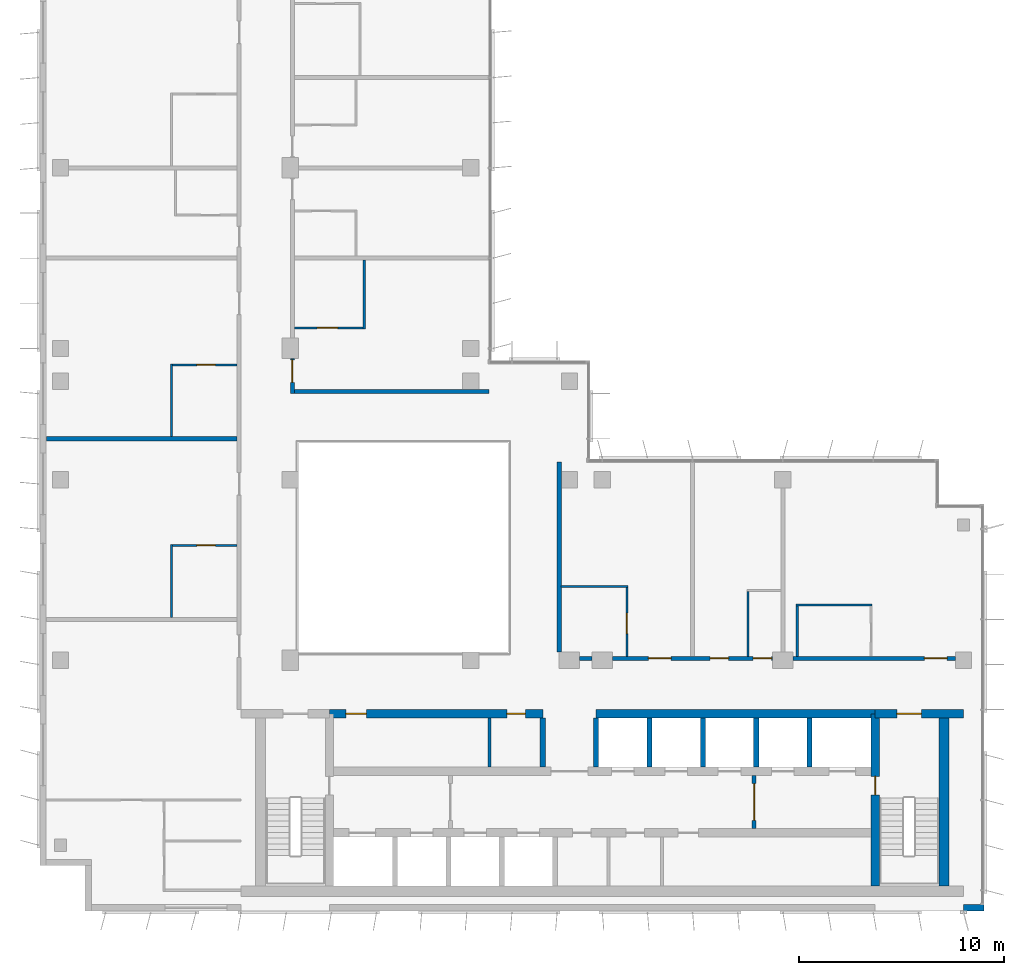
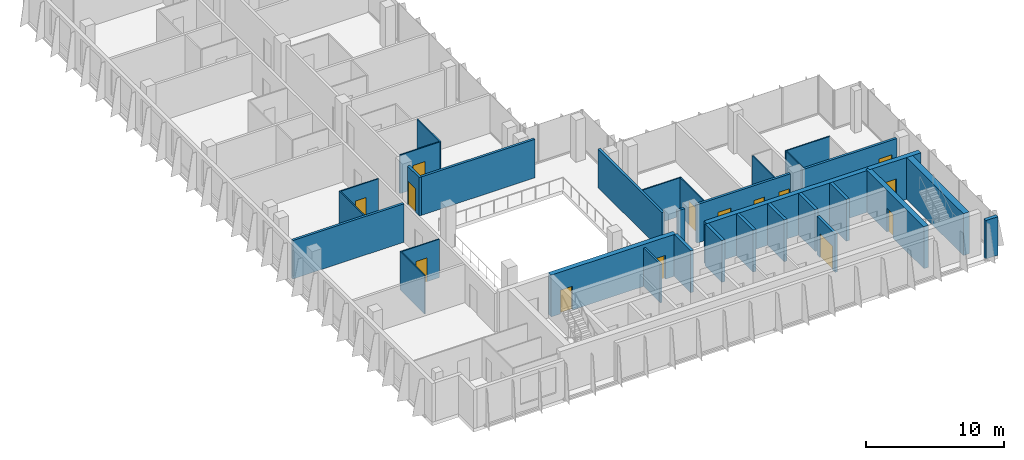
# One storey, part 10 of 16: 32 walls, 14 doors, 14 openings.
"""IFC4 building model written with IfcOpenShell, lengths in metres."""

import ifcopenshell
import ifcopenshell.guid

model = None  # the IFC model being written
_history = None  # IfcOwnerHistory: only IFC2X3 demands one
_inside = {}  # id of a spatial element -> (the spatial element, [elements in it])
_under = {}  # id of a project, library or spatial element -> (it, [spatial elements below it])
_declared = {}  # id of a project -> (the project, [libraries it declares])
_typed = {}  # id of a type object -> (the type object, [elements of that type])
_made_of = {}  # id of a material, layer set ... -> (it, [elements and type objects made of it])


def new_model(schema):
    """Start an empty IFC model of exactly this schema.

    Asked for "IFC4X3", IfcOpenShell would pick the latest addendum, in which some entities
    have other attributes; the version numbers below select the first issue.
    IFC2X3 requires an IfcOwnerHistory on every rooted entity: one is made here for all.
    """
    global model, _history
    if schema == "IFC4X3":
        model = ifcopenshell.file(schema_version=(4, 3, 0, 0))
    else:
        model = ifcopenshell.file(schema=schema)
    _inside.clear()
    _under.clear()
    _declared.clear()
    _typed.clear()
    _made_of.clear()
    _history = None
    if model.schema == "IFC2X3":
        org = make("IfcOrganization", Name="unknown")
        user = make(
            "IfcPersonAndOrganization",
            ThePerson=make("IfcPerson", FamilyName="unknown"),
            TheOrganization=org,
        )
        app = make(
            "IfcApplication",
            ApplicationDeveloper=org,
            Version="unknown",
            ApplicationFullName="unknown",
            ApplicationIdentifier="unknown",
        )
        _history = make(
            "IfcOwnerHistory",
            OwningUser=user,
            OwningApplication=app,
            ChangeAction="ADDED",
            CreationDate=0,
        )
    return model


def make(cls, **values):
    """One entity of the class cls with the attributes given. An attribute that is None is left unset."""
    return model.create_entity(
        cls, **{name: value for name, value in values.items() if value is not None}
    )


def rooted(cls, **values):
    """An entity with a GlobalId (a new one), such as an element, a storey or a relation."""
    return make(cls, GlobalId=ifcopenshell.guid.new(), OwnerHistory=_history, **values)


def si_unit(unit_type, name, prefix=None):
    """IfcSIUnit, for example si_unit("LENGTHUNIT", "METRE", prefix="MILLI")."""
    return make("IfcSIUnit", UnitType=unit_type, Prefix=prefix, Name=name)


def assignment(units):
    """IfcUnitAssignment: the units of a project."""
    return None if units is None else make("IfcUnitAssignment", Units=units)


def point(xyz):
    """IfcCartesianPoint."""
    return None if xyz is None else make("IfcCartesianPoint", Coordinates=xyz)


def direction(xyz):
    """IfcDirection."""
    return None if xyz is None else make("IfcDirection", DirectionRatios=xyz)


def frame(location, z_axis=None, x_axis=None):
    """IfcAxis2Placement3D, a coordinate frame: its origin and axes. An axis left out is left unset."""
    return make(
        "IfcAxis2Placement3D",
        Location=point(location),
        Axis=direction(z_axis),
        RefDirection=direction(x_axis),
    )


def frame_2d(location, x_axis=None):
    """IfcAxis2Placement2D, a coordinate frame in the plane: its origin and x axis."""
    return make(
        "IfcAxis2Placement2D", Location=point(location), RefDirection=direction(x_axis)
    )


def origin():
    """The frame at (0, 0, 0) with its axes left unset."""
    return frame((0.0, 0.0, 0.0))


def place(relative_to, where):
    """IfcLocalPlacement: puts the frame where relative to a parent placement (None: the world)."""
    return make(
        "IfcLocalPlacement", PlacementRelTo=relative_to, RelativePlacement=where
    )


def context(
    kind, dimensions, precision=None, world=None, true_north=None, identifier=None
):
    """IfcGeometricRepresentationContext, for example the 3D "Model" context."""
    return make(
        "IfcGeometricRepresentationContext",
        ContextIdentifier=identifier,
        ContextType=kind,
        CoordinateSpaceDimension=dimensions,
        Precision=precision,
        WorldCoordinateSystem=world,
        TrueNorth=true_north,
    )


def subcontext(parent, identifier, kind, view, scale=None):
    """IfcGeometricRepresentationSubContext, for example "Body" below "Model"."""
    return make(
        "IfcGeometricRepresentationSubContext",
        ContextIdentifier=identifier,
        ContextType=kind,
        ParentContext=parent,
        TargetScale=scale,
        TargetView=view,
    )


def project(units=None, contexts=None):
    """IfcProject with its units and contexts."""
    return rooted(
        "IfcProject",
        Name="project",
        RepresentationContexts=contexts,
        UnitsInContext=assignment(units),
    )


def spatial(cls, under=None, at=None, **own):
    """A site, building, storey or space (cls), placed at a placement, below another one or the project."""
    s = rooted(cls, ObjectPlacement=at, **own)
    if under is not None:
        _under.setdefault(under.id(), (under, []))[1].append(s)
    return s


def profile(cls, at=None, kind="AREA", **sizes):
    """A parametric profile (cls). Its sizes go by their IFC names, for example OverallWidth=200.0."""
    return make(cls, ProfileType=kind, Position=at, **sizes)


def rectangle(**sizes):
    """IfcRectangleProfileDef."""
    return profile("IfcRectangleProfileDef", **sizes)


def extrude(swept, where, along, depth):
    """IfcExtrudedAreaSolid: the profile swept, set in the frame where, extruded along a direction by depth."""
    return make(
        "IfcExtrudedAreaSolid",
        SweptArea=swept,
        Position=where,
        ExtrudedDirection=direction(along),
        Depth=depth,
    )


def shape(context_of_items, identifier, shape_type, items):
    """IfcShapeRepresentation: the items that make up one representation, for example the "Body"."""
    return make(
        "IfcShapeRepresentation",
        ContextOfItems=context_of_items,
        RepresentationIdentifier=identifier,
        RepresentationType=shape_type,
        Items=items,
    )


def material(Name=None, Category=None):
    """IfcMaterial."""
    return make("IfcMaterial", Name=Name, Category=Category)


def layer(
    of_material, thickness, ventilated=None, Name=None, Category=None, Priority=None
):
    """IfcMaterialLayer: one layer of a wall or slab, of a material (None: an air gap)."""
    return make(
        "IfcMaterialLayer",
        Material=of_material,
        LayerThickness=thickness,
        IsVentilated=ventilated,
        Name=Name,
        Category=Category,
        Priority=Priority,
    )


def layer_set(layers, Name=None):
    """IfcMaterialLayerSet."""
    return make("IfcMaterialLayerSet", MaterialLayers=layers, LayerSetName=Name)


def made_of(thing, what):
    """Note that an element or type object is made of a material, layer set ...; save() writes the relation."""
    if what is not None:
        _made_of.setdefault(what.id(), (what, []))[1].append(thing)
    return thing


def type_object(cls, material=None, **own):
    """A type object (cls), such as IfcWallType, which elements share."""
    return made_of(rooted(cls, **own), material)


def element(
    cls,
    number,
    at=None,
    inside=None,
    cuts=None,
    type_object=None,
    material=None,
    context=None,
    identifier="Body",
    shape_type=None,
    held_by="IfcProductDefinitionShape",
    body=None,
    shapes=None,
    **own,
):
    """One element of the class cls, such as IfcWall. Its Tag is "e" and its number.

    at: its placement. inside: the storey or other place that contains it. cuts: it is an
    opening in that element (IfcRelVoidsElement). A single representation is given by context,
    identifier, shape_type and body (its items); several are given by shapes. held_by: the class
    of the entity that holds the representations. save() writes the other relations.
    """
    e = rooted(cls, Tag="e%d" % number, ObjectPlacement=at, **own)
    if body is not None:
        shapes = [shape(context, identifier, shape_type, body)]
    if shapes is not None:
        e.Representation = make(held_by, Representations=shapes)
    if inside is not None:
        _inside.setdefault(inside.id(), (inside, []))[1].append(e)
    if cuts is not None:
        rooted(
            "IfcRelVoidsElement", RelatingBuildingElement=cuts, RelatedOpeningElement=e
        )
    if type_object is not None:
        _typed.setdefault(type_object.id(), (type_object, []))[1].append(e)
    return made_of(e, material)


def fill(opening, filler):
    """IfcRelFillsElement: the door or window that sits in an opening."""
    return rooted(
        "IfcRelFillsElement",
        RelatingOpeningElement=opening,
        RelatedBuildingElement=filler,
    )


def aggregate(whole, parts):
    """IfcRelAggregates: a whole, such as a stair, and the parts it consists of."""
    return rooted("IfcRelAggregates", RelatingObject=whole, RelatedObjects=parts)


def save(model, path):
    """Write the relations noted so far, then the file.

    IfcRelAggregates (storeys below a building ...), IfcRelContainedInSpatialStructure (elements
    in a storey), IfcRelDefinesByType, IfcRelAssociatesMaterial and IfcRelDeclares: one each for
    every whole, place, type object, material and project.
    """
    for whole, parts in _under.values():
        aggregate(whole, parts)
    for where, things in _inside.values():
        rooted(
            "IfcRelContainedInSpatialStructure",
            RelatedElements=things,
            RelatingStructure=where,
        )
    for kind, things in _typed.values():
        rooted("IfcRelDefinesByType", RelatedObjects=things, RelatingType=kind)
    for what, things in _made_of.values():
        rooted("IfcRelAssociatesMaterial", RelatedObjects=things, RelatingMaterial=what)
    for by, libraries in _declared.values():
        rooted("IfcRelDeclares", RelatingContext=by, RelatedDefinitions=libraries)
    model.write(path)


model = new_model("IFC4")

# Units and contexts
model_context = context("Model", 3, precision=1e-05, world=origin(), true_north=direction((0.0, 1.0)))
body_context = subcontext(model_context, "Body", "Model", "MODEL_VIEW")
ifc_project = project(units=[si_unit("LENGTHUNIT", "METRE"), si_unit("AREAUNIT", "SQUARE_METRE"), si_unit("VOLUMEUNIT", "CUBIC_METRE"), si_unit("PLANEANGLEUNIT", "RADIAN"), si_unit("MASSUNIT", "GRAM", prefix="KILO")], contexts=[model_context])

# Site, building, storey
site_placement = place(None, origin())
site = spatial("IfcSite", under=ifc_project, at=site_placement, CompositionType="ELEMENT")
building_placement = place(site_placement, origin())
building = spatial("IfcBuilding", under=site, at=building_placement, Name="Kemantara Hotel Tower", CompositionType="ELEMENT")
storey_placement = place(building_placement, frame((0.0, 0.0, 272.199951171875)))
storey = spatial("IfcBuildingStorey", under=building, at=storey_placement, Name="L68", CompositionType="ELEMENT", Elevation=272.199951171875)

# Walls
ifc_material_1 = material(Name="Bronze anodised aluminium cladding on insulated steel stud wall", Category="steel")
ifc_layer_1 = layer(ifc_material_1, 0.300048828125)
ifc_layer_set_1 = layer_set([ifc_layer_1], Name="Bronze anodised aluminium cladding on insulated steel stud wall")
wall_type_1 = type_object("IfcWallType", Name="BRONZE METAL-CLAD EXTERNAL WALL 300", PredefinedType="STANDARD", material=ifc_layer_set_1)
wall_1_placement = place(storey_placement, frame((45.0, 0.14990234375, 0.0), z_axis=(0.0, 0.0, 1.0), x_axis=(1.0, 0.0, 0.0)))
element("IfcWall", 1, at=wall_1_placement, inside=storey, type_object=wall_type_1, Name="EXTERNAL WALL L68 T4-R08-3", PredefinedType="STANDARD", context=body_context, shape_type="SweptSolid", body=[
    extrude(rectangle(XDim=1.0, YDim=0.300048828125, at=frame_2d((0.5, 0.0))), origin(), (0.0, 0.0, 1.0), 3.400146484375),
])
ifc_material_2 = material(Name="Concrete fc 50 MPa", Category="concrete")
ifc_layer_2 = layer(ifc_material_2, 0.25)
ifc_layer_set_2 = layer_set([ifc_layer_2], Name="Concrete fc 50 MPa")
wall_type_2 = type_object("IfcWallType", Name="CORE WALL 250 FC50", PredefinedType="SHEAR", material=ifc_layer_set_2)
for number, where, z_axis, x_axis, name in (
    (2, (24.5, 7.0, 0.0), (0.0, 0.0, 1.0), (0.0, 1.0, 0.0), "CORE WALL CW-DN24.5"),
    (3, (27.10009765625, 7.0, 0.0), (0.0, 0.0, 1.0), (0.0, 1.0, 0.0), "CORE WALL CW-DN27.1"),
    (4, (29.699951171875, 7.0, 0.0), (0.0, 0.0, 1.0), (0.0, 1.0, 0.0), "CORE WALL CW-DN29.7"),
    (5, (32.300048828125, 7.0, 0.0), (0.0, 0.0, 1.0), (0.0, 1.0, 0.0), "CORE WALL CW-DN32.3"),
    (6, (34.89990234375, 7.0, 0.0), (0.0, 0.0, 1.0), (0.0, 1.0, 0.0), "CORE WALL CW-DN34.9"),
    (7, (37.5, 7.0, 0.0), (0.0, 0.0, 1.0), (0.0, 1.0, 0.0), "CORE WALL CW-DN37.5"),
):
    element("IfcWall", number, at=place(storey_placement, frame(where, z_axis=z_axis, x_axis=x_axis)), inside=storey, type_object=wall_type_2, Name=name, PredefinedType="SHEAR", context=body_context, shape_type="SweptSolid", body=[
        extrude(rectangle(XDim=2.39990234375, YDim=0.25, at=frame_2d((1.199951171875, 0.0))), origin(), (0.0, 0.0, 1.0), 3.699951171875),
    ])

# Wall, opening, door
ifc_layer_3 = layer(ifc_material_2, 0.39990234375)
ifc_layer_set_3 = layer_set([ifc_layer_3], Name="Concrete fc 50 MPa")
wall_type_3 = type_object("IfcWallType", Name="CORE WALL 400 FC50", PredefinedType="SHEAR", material=ifc_layer_set_3)
wall_2_placement = place(storey_placement, frame((40.699951171875, 9.60009765625, 0.0), z_axis=(0.0, 0.0, 1.0), x_axis=(1.0, 0.0, 0.0)))
wall_2 = element("IfcWall", 8, at=wall_2_placement, inside=storey, type_object=wall_type_3, Name="CORE WALL CW-N2", PredefinedType="SHEAR", context=body_context, shape_type="SweptSolid", body=[
    extrude(rectangle(XDim=4.300048828125, YDim=0.39990234375, at=frame_2d((2.14990234375, 0.0))), origin(), (0.0, 0.0, 1.0), 3.699951171875),
])
opening_1_placement = place(wall_2_placement, frame((1.050048828125, 0.0, 0.0)))
opening_1 = element("IfcOpeningElement", 9, at=opening_1_placement, cuts=wall_2, Name="Opening C40-ST2-C", PredefinedType="OPENING", context=body_context, shape_type="SweptSolid", body=[
    extrude(rectangle(XDim=1.199951171875, YDim=2.10009765625, at=frame_2d((0.60009765625, 1.050048828125))), frame((0.0, 0.2099609375, 0.0), z_axis=(0.0, -1.0, 0.0), x_axis=(1.0, 0.0, 0.0)), (0.0, 0.0, 1.0), 0.419921875),
])
ifc_material_3 = material(Name="Steel fire door", Category="steel")
door_type_1 = type_object("IfcDoorType", Name="Fire door FD90 1200 x 2100", OperationType="NOTDEFINED", PredefinedType="DOOR", material=ifc_material_3)
door_1_placement = place(opening_1_placement, frame((1.199951171875, 0.0, 0.0), z_axis=(0.0, 0.0, 1.0), x_axis=(-1.0, 0.0, 0.0)))
door_1 = element("IfcDoor", 10, at=door_1_placement, inside=storey, type_object=door_type_1, Name="Stair ST2 door to corridor", OperationType="SINGLE_SWING_RIGHT", OverallHeight=2.10009765625, OverallWidth=1.199951171875, PredefinedType="DOOR", context=body_context, shape_type="SweptSolid", body=[
    extrude(rectangle(XDim=1.199951171875, YDim=2.10009765625, at=frame_2d((0.60009765625, 1.050048828125))), frame((0.0, 0.02490234375, 0.0), z_axis=(0.0, -1.0, 0.0), x_axis=(1.0, 0.0, 0.0)), (0.0, 0.0, 1.0), 0.050048828125),
])
fill(opening_1, door_1)

# Wall, openings, doors
wall_3_placement = place(storey_placement, frame((14.10009765625, 9.60009765625, 0.0), z_axis=(0.0, 0.0, 1.0), x_axis=(1.0, 0.0, 0.0)))
wall_3 = element("IfcWall", 11, at=wall_3_placement, inside=storey, type_object=wall_type_3, Name="CORE WALL CW-NN1", PredefinedType="SHEAR", context=body_context, shape_type="SweptSolid", body=[
    extrude(rectangle(XDim=10.39990234375, YDim=0.39990234375, at=frame_2d((5.199951171875, 0.0))), origin(), (0.0, 0.0, 1.0), 3.699951171875),
])
opening_2_placement = place(wall_3_placement, frame((0.800048828125, 0.0, 0.0)))
opening_2 = element("IfcOpeningElement", 12, at=opening_2_placement, cuts=wall_3, Name="Opening C40-R-NW1", PredefinedType="OPENING", context=body_context, shape_type="SweptSolid", body=[
    extrude(rectangle(XDim=1.0, YDim=2.10009765625, at=frame_2d((0.5, 1.050048828125))), frame((0.0, 0.2099609375, 0.0), z_axis=(0.0, -1.0, 0.0), x_axis=(1.0, 0.0, 0.0)), (0.0, 0.0, 1.0), 0.419921875),
])
opening_3_placement = place(wall_3_placement, frame((8.64990234375, 0.0, 0.0)))
opening_3 = element("IfcOpeningElement", 13, at=opening_3_placement, cuts=wall_3, Name="Opening C40-R-NW2", PredefinedType="OPENING", context=body_context, shape_type="SweptSolid", body=[
    extrude(rectangle(XDim=0.89990234375, YDim=2.10009765625, at=frame_2d((0.449951171875, 1.050048828125))), frame((0.0, 0.2099609375, 0.0), z_axis=(0.0, -1.0, 0.0), x_axis=(1.0, 0.0, 0.0)), (0.0, 0.0, 1.0), 0.419921875),
])
door_type_2 = type_object("IfcDoorType", Name="Fire door FD30S 1000 x 2100", OperationType="NOTDEFINED", PredefinedType="DOOR", material=ifc_material_3)
door_2_placement = place(opening_2_placement, frame((1.0, 0.0, 0.0), z_axis=(0.0, 0.0, 1.0), x_axis=(-1.0, 0.0, 0.0)))
door_2 = element("IfcDoor", 14, at=door_2_placement, inside=storey, type_object=door_type_2, Name="Linen Store door", OperationType="SINGLE_SWING_RIGHT", OverallHeight=2.10009765625, OverallWidth=1.0, PredefinedType="DOOR", context=body_context, shape_type="SweptSolid", body=[
    extrude(rectangle(XDim=1.0, YDim=2.10009765625, at=frame_2d((0.5, 1.050048828125))), frame((0.0, 0.02490234375, 0.0), z_axis=(0.0, -1.0, 0.0), x_axis=(1.0, 0.0, 0.0)), (0.0, 0.0, 1.0), 0.050048828125),
])
fill(opening_2, door_2)
door_type_3 = type_object("IfcDoorType", Name="Fire door FD60 900 x 2100", OperationType="NOTDEFINED", PredefinedType="DOOR", material=ifc_material_3)
door_3_placement = place(opening_3_placement, frame((0.89990234375, 0.0, 0.0), z_axis=(0.0, 0.0, 1.0), x_axis=(-1.0, 0.0, 0.0)))
door_3 = element("IfcDoor", 15, at=door_3_placement, inside=storey, type_object=door_type_3, Name="It Equipment Room door", OperationType="SINGLE_SWING_LEFT", OverallHeight=2.10009765625, OverallWidth=0.89990234375, PredefinedType="DOOR", context=body_context, shape_type="SweptSolid", body=[
    extrude(rectangle(XDim=0.89990234375, YDim=2.10009765625, at=frame_2d((0.449951171875, 1.050048828125))), frame((0.0, 0.02490234375, 0.0), z_axis=(0.0, -1.0, 0.0), x_axis=(1.0, 0.0, 0.0)), (0.0, 0.0, 1.0), 0.050048828125),
])
fill(opening_3, door_3)

# Wall
wall_4_placement = place(storey_placement, frame((27.10009765625, 9.60009765625, 0.0), z_axis=(0.0, 0.0, 1.0), x_axis=(1.0, 0.0, 0.0)))
element("IfcWall", 16, at=wall_4_placement, inside=storey, type_object=wall_type_3, Name="CORE WALL CW-NN2", PredefinedType="SHEAR", context=body_context, shape_type="SweptSolid", body=[
    extrude(rectangle(XDim=13.599853515625, YDim=0.39990234375, at=frame_2d((6.7998046875, 0.0))), origin(), (0.0, 0.0, 1.0), 3.699951171875),
])

# Wall, opening, door
wall_5_placement = place(storey_placement, frame((40.699951171875, 1.199951171875, 0.0), z_axis=(0.0, 0.0, 1.0), x_axis=(0.0, 1.0, 0.0)))
wall_5 = element("IfcWall", 17, at=wall_5_placement, inside=storey, type_object=wall_type_3, Name="CORE WALL CW-ST2W", PredefinedType="SHEAR", context=body_context, shape_type="SweptSolid", body=[
    extrude(rectangle(XDim=8.400146484375, YDim=0.39990234375, at=frame_2d((4.2001953125, 0.0))), origin(), (0.0, 0.0, 1.0), 3.699951171875),
])
opening_4_placement = place(wall_5_placement, frame((4.449951171875, 0.0, 0.0)))
opening_4 = element("IfcOpeningElement", 18, at=opening_4_placement, cuts=wall_5, Name="Opening C40-ST2-F", PredefinedType="OPENING", context=body_context, shape_type="SweptSolid", body=[
    extrude(rectangle(XDim=0.89990234375, YDim=2.10009765625, at=frame_2d((0.449951171875, 1.050048828125))), frame((0.0, 0.2099609375, 0.0), z_axis=(0.0, -1.0, 0.0), x_axis=(1.0, 0.0, 0.0)), (0.0, 0.0, 1.0), 0.419921875),
])
door_type_4 = type_object("IfcDoorType", Name="Fire door FD90 900 x 2100", OperationType="NOTDEFINED", PredefinedType="DOOR", material=ifc_material_3)
door_4_placement = place(opening_4_placement, frame((0.89990234375, 0.0, 0.0), z_axis=(0.0, 0.0, 1.0), x_axis=(-1.0, 0.0, 0.0)))
door_4 = element("IfcDoor", 19, at=door_4_placement, inside=storey, type_object=door_type_4, Name="Stair ST2 door to firefighting lobby", OperationType="SINGLE_SWING_LEFT", OverallHeight=2.10009765625, OverallWidth=0.89990234375, PredefinedType="DOOR", context=body_context, shape_type="SweptSolid", body=[
    extrude(rectangle(XDim=0.89990234375, YDim=2.10009765625, at=frame_2d((0.449951171875, 1.050048828125))), frame((0.0, 0.02490234375, 0.0), z_axis=(0.0, -1.0, 0.0), x_axis=(1.0, 0.0, 0.0)), (0.0, 0.0, 1.0), 0.050048828125),
])
fill(opening_4, door_4)

# Walls
ifc_layer_4 = layer(ifc_material_2, 0.5)
ifc_layer_set_4 = layer_set([ifc_layer_4], Name="Concrete fc 50 MPa")
wall_type_4 = type_object("IfcWallType", Name="CORE WALL 500 FC50", PredefinedType="SHEAR", material=ifc_layer_set_4)
wall_6_placement = place(storey_placement, frame((44.050048828125, 1.199951171875, 0.0), z_axis=(0.0, 0.0, 1.0), x_axis=(0.0, 1.0, 0.0)))
element("IfcWall", 20, at=wall_6_placement, inside=storey, type_object=wall_type_4, Name="CORE WALL CW-E", PredefinedType="SHEAR", context=body_context, shape_type="SweptSolid", body=[
    extrude(rectangle(XDim=8.60009765625, YDim=0.5, at=frame_2d((4.300048828125, 0.0))), origin(), (0.0, 0.0, 1.0), 3.699951171875),
])
ifc_material_4 = material(Name="Gypsum board partition, steel studs and mineral wool, 200 mm", Category="steel")
ifc_layer_5 = layer(ifc_material_4, 0.199951171875)
ifc_layer_set_5 = layer_set([ifc_layer_5], Name="Gypsum board partition, steel studs and mineral wool, 200 mm")
wall_type_5 = type_object("IfcWallType", Name="CORRIDOR WALL 200", PredefinedType="PARTITIONING", material=ifc_layer_set_5)
wall_7_placement = place(storey_placement, frame((26.300048828125, 12.300048828125, 0.0), z_axis=(0.0, 0.0, 1.0), x_axis=(1.0, 0.0, 0.0)))
element("IfcWall", 21, at=wall_7_placement, inside=storey, type_object=wall_type_5, Name="CORRIDOR WALL 200 001", PredefinedType="PARTITIONING", context=body_context, shape_type="SweptSolid", body=[
    extrude(rectangle(XDim=0.599853515625, YDim=0.199951171875, at=frame_2d((0.2998046875, 0.0))), origin(), (0.0, 0.0, 1.0), 3.400146484375),
])

# Wall, openings, doors
wall_8_placement = place(storey_placement, frame((27.900146484375, 12.300048828125, 0.0), z_axis=(0.0, 0.0, 1.0), x_axis=(1.0, 0.0, 0.0)))
wall_8 = element("IfcWall", 22, at=wall_8_placement, inside=storey, type_object=wall_type_5, Name="CORRIDOR WALL 200 002", PredefinedType="PARTITIONING", context=body_context, shape_type="SweptSolid", body=[
    extrude(rectangle(XDim=7.7998046875, YDim=0.199951171875, at=frame_2d((3.89990234375, 0.0))), origin(), (0.0, 0.0, 1.0), 3.400146484375),
])
opening_5_placement = place(wall_8_placement, frame((1.75, 0.0, 0.0)))
opening_5 = element("IfcOpeningElement", 23, at=opening_5_placement, cuts=wall_8, Name="Opening F33-001", PredefinedType="OPENING", context=body_context, shape_type="SweptSolid", body=[
    extrude(rectangle(XDim=1.10009765625, YDim=2.10009765625, at=frame_2d((0.550048828125, 1.050048828125))), frame((0.0, 0.10986328125, 0.0), z_axis=(0.0, -1.0, 0.0), x_axis=(1.0, 0.0, 0.0)), (0.0, 0.0, 1.0), 0.219970703125),
])
opening_6_placement = place(wall_8_placement, frame((4.75, 0.0, 0.0)))
opening_6 = element("IfcOpeningElement", 24, at=opening_6_placement, cuts=wall_8, Name="Opening F33-003", PredefinedType="OPENING", context=body_context, shape_type="SweptSolid", body=[
    extrude(rectangle(XDim=0.89990234375, YDim=2.10009765625, at=frame_2d((0.449951171875, 1.050048828125))), frame((0.0, 0.10986328125, 0.0), z_axis=(0.0, -1.0, 0.0), x_axis=(1.0, 0.0, 0.0)), (0.0, 0.0, 1.0), 0.219970703125),
])
opening_7_placement = place(wall_8_placement, frame((6.849853515625, 0.0, 0.0)))
opening_7 = element("IfcOpeningElement", 25, at=opening_7_placement, cuts=wall_8, Name="Opening F33-004", PredefinedType="OPENING", context=body_context, shape_type="SweptSolid", body=[
    extrude(rectangle(XDim=0.89990234375, YDim=2.10009765625, at=frame_2d((0.449951171875, 1.050048828125))), frame((0.0, 0.10986328125, 0.0), z_axis=(0.0, -1.0, 0.0), x_axis=(1.0, 0.0, 0.0)), (0.0, 0.0, 1.0), 0.219970703125),
])
ifc_material_5 = material(Name="Hardwood veneer door leaf with steel frame", Category="steel")
door_type_5 = type_object("IfcDoorType", Name="GUEST ROOM DOOR 1100 X 2100 FD30S", OperationType="NOTDEFINED", PredefinedType="DOOR", material=ifc_material_5)
door_5_placement = place(opening_5_placement, origin())
door_5 = element("IfcDoor", 26, at=door_5_placement, inside=storey, type_object=door_type_5, Name="GUEST ROOM DOOR F33-001", OperationType="SINGLE_SWING_RIGHT", OverallHeight=2.10009765625, OverallWidth=1.10009765625, PredefinedType="DOOR", context=body_context, shape_type="SweptSolid", body=[
    extrude(rectangle(XDim=1.10009765625, YDim=2.10009765625, at=frame_2d((0.550048828125, 1.050048828125))), frame((0.0, 0.02490234375, 0.0), z_axis=(0.0, -1.0, 0.0), x_axis=(1.0, 0.0, 0.0)), (0.0, 0.0, 1.0), 0.050048828125),
])
fill(opening_5, door_5)
ifc_material_6 = material(Name="Steel door leaf with steel frame", Category="steel")
door_type_6 = type_object("IfcDoorType", Name="SERVICE ROOM DOOR 900 X 2100 FD60", OperationType="NOTDEFINED", PredefinedType="DOOR", material=ifc_material_6)
door_6_placement = place(opening_6_placement, origin())
door_6 = element("IfcDoor", 27, at=door_6_placement, inside=storey, type_object=door_type_6, Name="SERVICE ROOM DOOR F33-003", OperationType="SINGLE_SWING_LEFT", OverallHeight=2.10009765625, OverallWidth=0.89990234375, PredefinedType="DOOR", context=body_context, shape_type="SweptSolid", body=[
    extrude(rectangle(XDim=0.89990234375, YDim=2.10009765625, at=frame_2d((0.449951171875, 1.050048828125))), frame((0.0, 0.02490234375, 0.0), z_axis=(0.0, -1.0, 0.0), x_axis=(1.0, 0.0, 0.0)), (0.0, 0.0, 1.0), 0.050048828125),
])
fill(opening_6, door_6)
door_7_placement = place(opening_7_placement, origin())
door_7 = element("IfcDoor", 28, at=door_7_placement, inside=storey, type_object=door_type_6, Name="SERVICE ROOM DOOR F33-004", OperationType="SINGLE_SWING_RIGHT", OverallHeight=2.10009765625, OverallWidth=0.89990234375, PredefinedType="DOOR", context=body_context, shape_type="SweptSolid", body=[
    extrude(rectangle(XDim=0.89990234375, YDim=2.10009765625, at=frame_2d((0.449951171875, 1.050048828125))), frame((0.0, 0.02490234375, 0.0), z_axis=(0.0, -1.0, 0.0), x_axis=(1.0, 0.0, 0.0)), (0.0, 0.0, 1.0), 0.050048828125),
])
fill(opening_7, door_7)

# Wall, opening, door
wall_9_placement = place(storey_placement, frame((36.7001953125, 12.300048828125, 0.0), z_axis=(0.0, 0.0, 1.0), x_axis=(1.0, 0.0, 0.0)))
wall_9 = element("IfcWall", 29, at=wall_9_placement, inside=storey, type_object=wall_type_5, Name="CORRIDOR WALL 200 003", PredefinedType="PARTITIONING", context=body_context, shape_type="SweptSolid", body=[
    extrude(rectangle(XDim=7.899658203125, YDim=0.199951171875, at=frame_2d((3.94970703125, 0.0))), origin(), (0.0, 0.0, 1.0), 3.400146484375),
])
opening_8_placement = place(wall_9_placement, frame((6.39990234375, 0.0, 0.0)))
opening_8 = element("IfcOpeningElement", 30, at=opening_8_placement, cuts=wall_9, Name="Opening F33-005", PredefinedType="OPENING", context=body_context, shape_type="SweptSolid", body=[
    extrude(rectangle(XDim=1.10009765625, YDim=2.10009765625, at=frame_2d((0.550048828125, 1.050048828125))), frame((0.0, 0.10986328125, 0.0), z_axis=(0.0, -1.0, 0.0), x_axis=(1.0, 0.0, 0.0)), (0.0, 0.0, 1.0), 0.219970703125),
])
door_type_7 = type_object("IfcDoorType", Name="SUITE ENTRANCE DOOR 1100 X 2100 FD30S", OperationType="NOTDEFINED", PredefinedType="DOOR", material=ifc_material_5)
door_8_placement = place(opening_8_placement, origin())
door_8 = element("IfcDoor", 31, at=door_8_placement, inside=storey, type_object=door_type_7, Name="SUITE ENTRANCE DOOR F33-005", OperationType="SINGLE_SWING_RIGHT", OverallHeight=2.10009765625, OverallWidth=1.10009765625, PredefinedType="DOOR", context=body_context, shape_type="SweptSolid", body=[
    extrude(rectangle(XDim=1.10009765625, YDim=2.10009765625, at=frame_2d((0.550048828125, 1.050048828125))), frame((0.0, 0.02490234375, 0.0), z_axis=(0.0, -1.0, 0.0), x_axis=(1.0, 0.0, 0.0)), (0.0, 0.0, 1.0), 0.050048828125),
])
fill(opening_8, door_8)

wall_10_placement = place(storey_placement, frame((12.300048828125, 26.89990234375, 0.0), z_axis=(0.0, 0.0, 1.0), x_axis=(0.0, -1.0, 0.0)))
wall_10 = element("IfcWall", 32, at=wall_10_placement, inside=storey, type_object=wall_type_5, Name="CORRIDOR WALL 200 018", PredefinedType="PARTITIONING", context=body_context, shape_type="SweptSolid", body=[
    extrude(rectangle(XDim=1.699951171875, YDim=0.199951171875, at=frame_2d((0.85009765625, 0.0))), origin(), (0.0, 0.0, 1.0), 3.400146484375),
])
opening_9_placement = place(wall_10_placement, frame((0.0498046875, 0.0, 0.0)))
opening_9 = element("IfcOpeningElement", 33, at=opening_9_placement, cuts=wall_10, Name="Opening F33-023", PredefinedType="OPENING", context=body_context, shape_type="SweptSolid", body=[
    extrude(rectangle(XDim=1.10009765625, YDim=2.10009765625, at=frame_2d((0.550048828125, 1.050048828125))), frame((0.0, 0.10986328125, 0.0), z_axis=(0.0, -1.0, 0.0), x_axis=(1.0, 0.0, 0.0)), (0.0, 0.0, 1.0), 0.219970703125),
])
door_9_placement = place(opening_9_placement, origin())
door_9 = element("IfcDoor", 34, at=door_9_placement, inside=storey, type_object=door_type_5, Name="GUEST ROOM DOOR F33-023", OperationType="SINGLE_SWING_RIGHT", OverallHeight=2.10009765625, OverallWidth=1.10009765625, PredefinedType="DOOR", context=body_context, shape_type="SweptSolid", body=[
    extrude(rectangle(XDim=1.10009765625, YDim=2.10009765625, at=frame_2d((0.550048828125, 1.050048828125))), frame((0.0, 0.02490234375, 0.0), z_axis=(0.0, -1.0, 0.0), x_axis=(1.0, 0.0, 0.0)), (0.0, 0.0, 1.0), 0.050048828125),
])
fill(opening_9, door_9)

# Walls
ifc_layer_6 = layer(ifc_material_4, 0.199951171875)
ifc_layer_set_6 = layer_set([ifc_layer_6], Name="Gypsum board partition, steel studs and mineral wool, 200 mm")
wall_type_6 = type_object("IfcWallType", Name="GUEST ROOM PARTY WALL 200", PredefinedType="PARTITIONING", material=ifc_layer_set_6)
wall_11_placement = place(storey_placement, frame((25.300048828125, 12.60009765625, 0.0), z_axis=(0.0, 0.0, 1.0), x_axis=(0.0, 1.0, 0.0)))
element("IfcWall", 35, at=wall_11_placement, inside=storey, type_object=wall_type_6, Name="GUEST ROOM PARTY WALL 200 004", PredefinedType="PARTITIONING", context=body_context, shape_type="SweptSolid", body=[
    extrude(rectangle(XDim=9.27001953125, YDim=0.199951171875, at=frame_2d((4.635009765625, 0.0))), origin(), (0.0, 0.0, 1.0), 3.400146484375),
])
wall_12_placement = place(storey_placement, frame((0.31005859375, 23.0, 0.0), z_axis=(0.0, 0.0, 1.0), x_axis=(1.0, 0.0, 0.0)))
element("IfcWall", 36, at=wall_12_placement, inside=storey, type_object=wall_type_6, Name="GUEST ROOM PARTY WALL 200 010", PredefinedType="PARTITIONING", context=body_context, shape_type="SweptSolid", body=[
    extrude(rectangle(XDim=9.2900390625, YDim=0.199951171875, at=frame_2d((4.64501953125, 0.0))), origin(), (0.0, 0.0, 1.0), 3.400146484375),
])
wall_13_placement = place(storey_placement, frame((12.39990234375, 25.300048828125, 0.0), z_axis=(0.0, 0.0, 1.0), x_axis=(1.0, 0.0, 0.0)))
element("IfcWall", 37, at=wall_13_placement, inside=storey, type_object=wall_type_6, Name="GUEST ROOM PARTY WALL 200 023", PredefinedType="PARTITIONING", context=body_context, shape_type="SweptSolid", body=[
    extrude(rectangle(XDim=9.47021484375, YDim=0.199951171875, at=frame_2d((4.735107421875, 0.0))), origin(), (0.0, 0.0, 1.0), 3.400146484375),
])
ifc_material_7 = material(Name="Gypsum board partition")
ifc_layer_7 = layer(ifc_material_7, 0.14990234375)
ifc_layer_set_7 = layer_set([ifc_layer_7], Name="Gypsum board partition")
wall_type_7 = type_object("IfcWallType", Name="Gypsum board partition 150 mm", PredefinedType="PARTITIONING", material=ifc_layer_set_7)
wall_14_placement = place(storey_placement, frame((21.89990234375, 7.0, 0.0), z_axis=(0.0, 0.0, 1.0), x_axis=(0.0, 1.0, 0.0)))
element("IfcWall", 38, at=wall_14_placement, inside=storey, type_object=wall_type_7, Name="Core room partition", PredefinedType="PARTITIONING", context=body_context, shape_type="SweptSolid", body=[
    extrude(rectangle(XDim=2.39990234375, YDim=0.14990234375, at=frame_2d((1.199951171875, 0.0))), origin(), (0.0, 0.0, 1.0), 3.400146484375),
])

# Wall, opening, door
ifc_material_8 = material(Name="Gypsum board shaft wall")
ifc_layer_8 = layer(ifc_material_8, 0.199951171875)
ifc_layer_set_8 = layer_set([ifc_layer_8], Name="Gypsum board shaft wall")
wall_type_8 = type_object("IfcWallType", Name="Gypsum board shaft wall 200 mm", PredefinedType="PARTITIONING", material=ifc_layer_set_8)
wall_15_placement = place(storey_placement, frame((34.800048828125, 4.0, 0.0), z_axis=(0.0, 0.0, 1.0), x_axis=(0.0, 1.0, 0.0)))
wall_15 = element("IfcWall", 39, at=wall_15_placement, inside=storey, type_object=wall_type_8, Name="Firefighting lobby partition east", PredefinedType="PARTITIONING", context=body_context, shape_type="SweptSolid", body=[
    extrude(rectangle(XDim=2.60009765625, YDim=0.199951171875, at=frame_2d((1.300048828125, 0.0))), origin(), (0.0, 0.0, 1.0), 3.400146484375),
])
opening_10_placement = place(wall_15_placement, frame((0.39990234375, 0.0, 0.0)))
opening_10 = element("IfcOpeningElement", 40, at=opening_10_placement, cuts=wall_15, Name="Opening C40-FFE", PredefinedType="OPENING", context=body_context, shape_type="SweptSolid", body=[
    extrude(rectangle(XDim=1.800048828125, YDim=2.10009765625, at=frame_2d((0.89990234375, 1.050048828125))), frame((0.0, 0.10986328125, 0.0), z_axis=(0.0, -1.0, 0.0), x_axis=(1.0, 0.0, 0.0)), (0.0, 0.0, 1.0), 0.219970703125),
])
door_type_8 = type_object("IfcDoorType", Name="Fire door pair FD60 1800 x 2100", OperationType="DOUBLE_DOOR_SINGLE_SWING", PredefinedType="DOOR", material=ifc_material_3)
door_10_placement = place(opening_10_placement, frame((1.800048828125, 0.0, 0.0), z_axis=(0.0, 0.0, 1.0), x_axis=(-1.0, 0.0, 0.0)))
door_10 = element("IfcDoor", 41, at=door_10_placement, inside=storey, type_object=door_type_8, Name="Firefighting lobby door east", OperationType="DOUBLE_DOOR_SINGLE_SWING", OverallHeight=2.10009765625, OverallWidth=1.800048828125, PredefinedType="DOOR", context=body_context, shape_type="SweptSolid", body=[
    extrude(rectangle(XDim=1.800048828125, YDim=2.10009765625, at=frame_2d((0.89990234375, 1.050048828125))), frame((0.0, 0.02490234375, 0.0), z_axis=(0.0, -1.0, 0.0), x_axis=(1.0, 0.0, 0.0)), (0.0, 0.0, 1.0), 0.050048828125),
])
fill(opening_10, door_10)

# Wall
ifc_material_9 = material(Name="Gypsum board partition on steel studs, 100 mm", Category="steel")
ifc_layer_9 = layer(ifc_material_9, 0.10009765625)
ifc_layer_set_9 = layer_set([ifc_layer_9], Name="Gypsum board partition on steel studs, 100 mm")
wall_type_9 = type_object("IfcWallType", Name="ROOM PARTITION 100", PredefinedType="PARTITIONING", material=ifc_layer_set_9)
wall_16_placement = place(storey_placement, frame((25.39990234375, 15.800048828125, 0.0), z_axis=(0.0, 0.0, 1.0), x_axis=(1.0, 0.0, 0.0)))
element("IfcWall", 42, at=wall_16_placement, inside=storey, type_object=wall_type_9, Name="ROOM PARTITION 100 025", PredefinedType="PARTITIONING", context=body_context, shape_type="SweptSolid", body=[
    extrude(rectangle(XDim=3.25, YDim=0.10009765625, at=frame_2d((1.625, 0.0))), origin(), (0.0, 0.0, 1.0), 3.400146484375),
])

# Wall, opening, door
wall_17_placement = place(storey_placement, frame((28.60009765625, 12.39990234375, 0.0), z_axis=(0.0, 0.0, 1.0), x_axis=(0.0, 1.0, 0.0)))
wall_17 = element("IfcWall", 43, at=wall_17_placement, inside=storey, type_object=wall_type_9, Name="ROOM PARTITION 100 026", PredefinedType="PARTITIONING", context=body_context, shape_type="SweptSolid", body=[
    extrude(rectangle(XDim=3.35009765625, YDim=0.10009765625, at=frame_2d((1.675048828125, 0.0))), origin(), (0.0, 0.0, 1.0), 3.400146484375),
])
opening_11_placement = place(wall_17_placement, frame((1.10009765625, 0.0, 0.0)))
opening_11 = element("IfcOpeningElement", 44, at=opening_11_placement, cuts=wall_17, Name="Opening F33-002", PredefinedType="OPENING", context=body_context, shape_type="SweptSolid", body=[
    extrude(rectangle(XDim=1.0, YDim=2.10009765625, at=frame_2d((0.5, 1.050048828125))), frame((0.0, 0.06005859375, 0.0), z_axis=(0.0, -1.0, 0.0), x_axis=(1.0, 0.0, 0.0)), (0.0, 0.0, 1.0), 0.1201171875),
])
door_type_9 = type_object("IfcDoorType", Name="BATHROOM DOOR 1000 X 2100", OperationType="NOTDEFINED", PredefinedType="DOOR", material=ifc_material_5)
door_11_placement = place(opening_11_placement, origin())
door_11 = element("IfcDoor", 45, at=door_11_placement, inside=storey, type_object=door_type_9, Name="BATHROOM DOOR F33-002", OperationType="SINGLE_SWING_LEFT", OverallHeight=2.10009765625, OverallWidth=1.0, PredefinedType="DOOR", context=body_context, shape_type="SweptSolid", body=[
    extrude(rectangle(XDim=1.0, YDim=2.10009765625, at=frame_2d((0.5, 1.050048828125))), frame((0.0, 0.02490234375, 0.0), z_axis=(0.0, -1.0, 0.0), x_axis=(1.0, 0.0, 0.0)), (0.0, 0.0, 1.0), 0.050048828125),
])
fill(opening_11, door_11)

# Walls
wall_18_placement = place(storey_placement, frame((34.5, 12.39990234375, 0.0), z_axis=(0.0, 0.0, 1.0), x_axis=(0.0, 1.0, 0.0)))
element("IfcWall", 46, at=wall_18_placement, inside=storey, type_object=wall_type_9, Name="ROOM PARTITION 100 028", PredefinedType="PARTITIONING", context=body_context, shape_type="SweptSolid", body=[
    extrude(rectangle(XDim=3.150146484375, YDim=0.10009765625, at=frame_2d((1.5751953125, 0.0))), origin(), (0.0, 0.0, 1.0), 3.400146484375),
])
wall_19_placement = place(storey_placement, frame((36.85009765625, 14.89990234375, 0.0), z_axis=(0.0, 0.0, 1.0), x_axis=(1.0, 0.0, 0.0)))
element("IfcWall", 47, at=wall_19_placement, inside=storey, type_object=wall_type_9, Name="ROOM PARTITION 100 029", PredefinedType="PARTITIONING", context=body_context, shape_type="SweptSolid", body=[
    extrude(rectangle(XDim=3.699951171875, YDim=0.10009765625, at=frame_2d((1.85009765625, 0.0))), origin(), (0.0, 0.0, 1.0), 3.400146484375),
])
wall_20_placement = place(storey_placement, frame((36.89990234375, 12.39990234375, 0.0), z_axis=(0.0, 0.0, 1.0), x_axis=(0.0, 1.0, 0.0)))
element("IfcWall", 48, at=wall_20_placement, inside=storey, type_object=wall_type_9, Name="ROOM PARTITION 100 030", PredefinedType="PARTITIONING", context=body_context, shape_type="SweptSolid", body=[
    extrude(rectangle(XDim=2.4501953125, YDim=0.10009765625, at=frame_2d((1.22509765625, 0.0))), origin(), (0.0, 0.0, 1.0), 3.400146484375),
])
wall_21_placement = place(storey_placement, frame((6.39990234375, 14.300048828125, 0.0), z_axis=(0.0, 0.0, 1.0), x_axis=(0.0, 1.0, 0.0)))
element("IfcWall", 49, at=wall_21_placement, inside=storey, type_object=wall_type_9, Name="ROOM PARTITION 100 036", PredefinedType="PARTITIONING", context=body_context, shape_type="SweptSolid", body=[
    extrude(rectangle(XDim=3.550048828125, YDim=0.10009765625, at=frame_2d((1.77490234375, 0.0))), origin(), (0.0, 0.0, 1.0), 3.400146484375),
])
wall_22_placement = place(storey_placement, frame((6.39990234375, 23.10009765625, 0.0), z_axis=(0.0, 0.0, 1.0), x_axis=(0.0, 1.0, 0.0)))
element("IfcWall", 50, at=wall_22_placement, inside=storey, type_object=wall_type_9, Name="ROOM PARTITION 100 037", PredefinedType="PARTITIONING", context=body_context, shape_type="SweptSolid", body=[
    extrude(rectangle(XDim=3.5498046875, YDim=0.10009765625, at=frame_2d((1.77490234375, 0.0))), origin(), (0.0, 0.0, 1.0), 3.400146484375),
])

# Wall, opening, door
wall_23_placement = place(storey_placement, frame((9.60009765625, 17.800048828125, 0.0), z_axis=(0.0, 0.0, 1.0), x_axis=(-1.0, 0.0, 0.0)))
wall_23 = element("IfcWall", 51, at=wall_23_placement, inside=storey, type_object=wall_type_9, Name="ROOM PARTITION 100 040", PredefinedType="PARTITIONING", context=body_context, shape_type="SweptSolid", body=[
    extrude(rectangle(XDim=3.150146484375, YDim=0.10009765625, at=frame_2d((1.5751953125, 0.0))), origin(), (0.0, 0.0, 1.0), 3.400146484375),
])
opening_12_placement = place(wall_23_placement, frame((1.050048828125, 0.0, 0.0)))
opening_12 = element("IfcOpeningElement", 52, at=opening_12_placement, cuts=wall_23, Name="Opening F33-012", PredefinedType="OPENING", context=body_context, shape_type="SweptSolid", body=[
    extrude(rectangle(XDim=0.89990234375, YDim=2.10009765625, at=frame_2d((0.449951171875, 1.050048828125))), frame((0.0, 0.06005859375, 0.0), z_axis=(0.0, -1.0, 0.0), x_axis=(1.0, 0.0, 0.0)), (0.0, 0.0, 1.0), 0.1201171875),
])
door_type_10 = type_object("IfcDoorType", Name="BATHROOM DOOR 900 X 2100", OperationType="NOTDEFINED", PredefinedType="DOOR", material=ifc_material_5)
door_12_placement = place(opening_12_placement, origin())
door_12 = element("IfcDoor", 53, at=door_12_placement, inside=storey, type_object=door_type_10, Name="BATHROOM DOOR F33-012", OperationType="SINGLE_SWING_LEFT", OverallHeight=2.10009765625, OverallWidth=0.89990234375, PredefinedType="DOOR", context=body_context, shape_type="SweptSolid", body=[
    extrude(rectangle(XDim=0.89990234375, YDim=2.10009765625, at=frame_2d((0.449951171875, 1.050048828125))), frame((0.0, 0.02490234375, 0.0), z_axis=(0.0, -1.0, 0.0), x_axis=(1.0, 0.0, 0.0)), (0.0, 0.0, 1.0), 0.050048828125),
])
fill(opening_12, door_12)

wall_24_placement = place(storey_placement, frame((9.60009765625, 26.60009765625, 0.0), z_axis=(0.0, 0.0, 1.0), x_axis=(-1.0, 0.0, 0.0)))
wall_24 = element("IfcWall", 54, at=wall_24_placement, inside=storey, type_object=wall_type_9, Name="ROOM PARTITION 100 041", PredefinedType="PARTITIONING", context=body_context, shape_type="SweptSolid", body=[
    extrude(rectangle(XDim=3.150146484375, YDim=0.10009765625, at=frame_2d((1.5751953125, 0.0))), origin(), (0.0, 0.0, 1.0), 3.400146484375),
])
opening_13_placement = place(wall_24_placement, frame((1.050048828125, 0.0, 0.0)))
opening_13 = element("IfcOpeningElement", 55, at=opening_13_placement, cuts=wall_24, Name="Opening F33-014", PredefinedType="OPENING", context=body_context, shape_type="SweptSolid", body=[
    extrude(rectangle(XDim=0.89990234375, YDim=2.10009765625, at=frame_2d((0.449951171875, 1.050048828125))), frame((0.0, 0.06005859375, 0.0), z_axis=(0.0, -1.0, 0.0), x_axis=(1.0, 0.0, 0.0)), (0.0, 0.0, 1.0), 0.1201171875),
])
door_13_placement = place(opening_13_placement, origin())
door_13 = element("IfcDoor", 56, at=door_13_placement, inside=storey, type_object=door_type_10, Name="BATHROOM DOOR F33-014", OperationType="SINGLE_SWING_LEFT", OverallHeight=2.10009765625, OverallWidth=0.89990234375, PredefinedType="DOOR", context=body_context, shape_type="SweptSolid", body=[
    extrude(rectangle(XDim=0.89990234375, YDim=2.10009765625, at=frame_2d((0.449951171875, 1.050048828125))), frame((0.0, 0.02490234375, 0.0), z_axis=(0.0, -1.0, 0.0), x_axis=(1.0, 0.0, 0.0)), (0.0, 0.0, 1.0), 0.050048828125),
])
fill(opening_13, door_13)

# Wall
wall_25_placement = place(storey_placement, frame((15.800048828125, 28.35009765625, 0.0), z_axis=(0.0, 0.0, 1.0), x_axis=(0.0, 1.0, 0.0)))
element("IfcWall", 57, at=wall_25_placement, inside=storey, type_object=wall_type_9, Name="ROOM PARTITION 100 049", PredefinedType="PARTITIONING", context=body_context, shape_type="SweptSolid", body=[
    extrude(rectangle(XDim=3.349853515625, YDim=0.10009765625, at=frame_2d((1.6748046875, 0.0))), origin(), (0.0, 0.0, 1.0), 3.400146484375),
])

# Wall, opening, door
wall_26_placement = place(storey_placement, frame((12.39990234375, 28.39990234375, 0.0), z_axis=(0.0, 0.0, 1.0), x_axis=(1.0, 0.0, 0.0)))
wall_26 = element("IfcWall", 58, at=wall_26_placement, inside=storey, type_object=wall_type_9, Name="ROOM PARTITION 100 050", PredefinedType="PARTITIONING", context=body_context, shape_type="SweptSolid", body=[
    extrude(rectangle(XDim=3.35009765625, YDim=0.10009765625, at=frame_2d((1.675048828125, 0.0))), origin(), (0.0, 0.0, 1.0), 3.400146484375),
])
opening_14_placement = place(wall_26_placement, frame((1.10009765625, 0.0, 0.0)))
opening_14 = element("IfcOpeningElement", 59, at=opening_14_placement, cuts=wall_26, Name="Opening F33-024", PredefinedType="OPENING", context=body_context, shape_type="SweptSolid", body=[
    extrude(rectangle(XDim=1.0, YDim=2.10009765625, at=frame_2d((0.5, 1.050048828125))), frame((0.0, 0.06005859375, 0.0), z_axis=(0.0, -1.0, 0.0), x_axis=(1.0, 0.0, 0.0)), (0.0, 0.0, 1.0), 0.1201171875),
])
door_14_placement = place(opening_14_placement, origin())
door_14 = element("IfcDoor", 60, at=door_14_placement, inside=storey, type_object=door_type_9, Name="BATHROOM DOOR F33-024", OperationType="SINGLE_SWING_LEFT", OverallHeight=2.10009765625, OverallWidth=1.0, PredefinedType="DOOR", context=body_context, shape_type="SweptSolid", body=[
    extrude(rectangle(XDim=1.0, YDim=2.10009765625, at=frame_2d((0.5, 1.050048828125))), frame((0.0, 0.02490234375, 0.0), z_axis=(0.0, -1.0, 0.0), x_axis=(1.0, 0.0, 0.0)), (0.0, 0.0, 1.0), 0.050048828125),
])
fill(opening_14, door_14)

save(model, "model.ifc")
